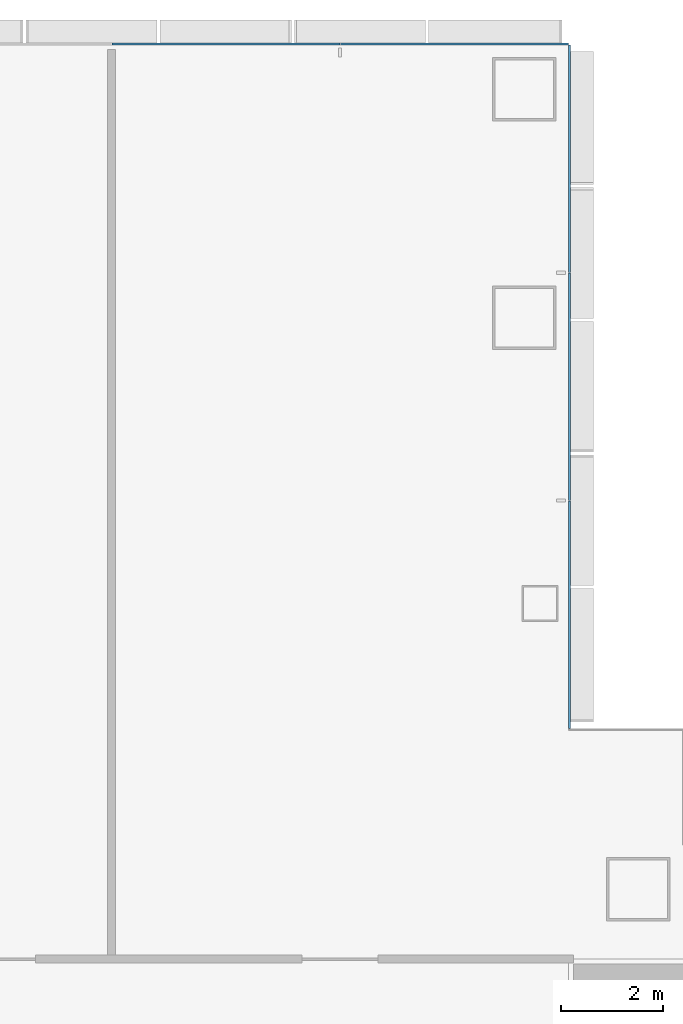
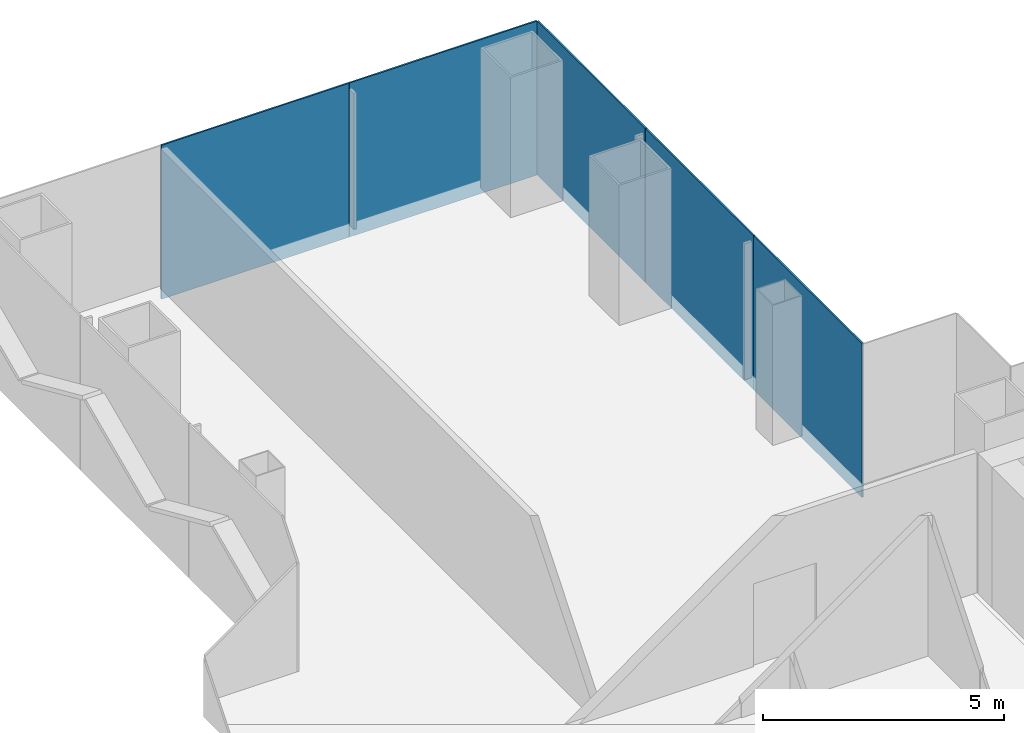
# One storey, part 11 of 20: 5 plates, 2 elements without a shape of their own.
"""IFC4 building model written with IfcOpenShell, lengths in metres."""

from ifc_helpers import new_model, si_unit, direction, frame, origin, origin_2d, place, context, subcontext, project, spatial, rectangle, extrude, material, layer, layer_set, type_object, element, aggregate, save


model = new_model("IFC4")

# Units and contexts
model_context = context("Model", 3, precision=1e-05, world=origin(), true_north=direction((0.0, 1.0)))
body_context = subcontext(model_context, "Body", "Model", "MODEL_VIEW")
ifc_project = project(units=[si_unit("LENGTHUNIT", "METRE"), si_unit("AREAUNIT", "SQUARE_METRE"), si_unit("VOLUMEUNIT", "CUBIC_METRE"), si_unit("PLANEANGLEUNIT", "RADIAN"), si_unit("MASSUNIT", "GRAM", prefix="KILO")], contexts=[model_context])

# Site, building, storey
site_placement = place(None, origin())
site = spatial("IfcSite", under=ifc_project, at=site_placement, CompositionType="ELEMENT")
building_placement = place(site_placement, origin())
building = spatial("IfcBuilding", under=site, at=building_placement, Name="Shamsa Quay Exchange Towers", CompositionType="ELEMENT")
storey_placement = place(building_placement, frame((0.0, 0.0, 101.39990234375)))
storey = spatial("IfcBuildingStorey", under=building, at=storey_placement, Name="L23", CompositionType="ELEMENT", Elevation=101.39990234375)

# Curtain wall, plates
ifc_material_1 = material(Name="Aluminium EN AW-6063 T6, black anodised", Category="aluminium")
ifc_layer_1 = layer(ifc_material_1, 0.280029296875)
ifc_layer_set_1 = layer_set([ifc_layer_1], Name="CW-1 UNITISED VISION GLASS")
curtain_wall_type = type_object("IfcCurtainWallType", Name="CW-1 UNITISED VISION GLASS", PredefinedType="NOTDEFINED", material=ifc_layer_set_1)
curtain_wall_1_placement = place(storey_placement, origin())
curtain_wall_1 = element("IfcCurtainWall", 1, at=curtain_wall_1_placement, inside=storey, type_object=curtain_wall_type, Name="CW1 T2-FLK-U+S L23", PredefinedType="NOTDEFINED")
ifc_material_2 = material(Name="Glass, laminated, dark tinted", Category="glass")
ifc_layer_2 = layer(ifc_material_2, 0.0400390625)
ifc_layer_set_2 = layer_set([ifc_layer_2], Name="CW-1 VISION GLASS 40")
plate_type = type_object("IfcPlateType", Name="CW-1 VISION GLASS 40", PredefinedType="CURTAIN_PANEL", material=ifc_layer_set_2)
plate_1_placement = place(storey_placement, frame((40.52001953125, 13.529052734375, -0.349853515625), z_axis=(0.0, 0.0, 1.0), x_axis=(0.0, 1.0, 0.0)))
plate_1 = element("IfcPlate", 2, at=plate_1_placement, type_object=plate_type, Name="CW1 glass panel", PredefinedType="CURTAIN_PANEL", context=body_context, shape_type="SweptSolid", body=[
    extrude(rectangle(XDim=4.482421875, YDim=0.0400390625, at=origin_2d()), origin(), (0.0, 0.0, 1.0), 3.89990234375),
])
plate_2_placement = place(storey_placement, frame((40.52001953125, 18.01904296875, -0.349853515625), z_axis=(0.0, 0.0, 1.0), x_axis=(0.0, 1.0, 0.0)))
plate_2 = element("IfcPlate", 3, at=plate_2_placement, type_object=plate_type, Name="CW1 glass panel", PredefinedType="CURTAIN_PANEL", context=body_context, shape_type="SweptSolid", body=[
    extrude(rectangle(XDim=4.477294921875, YDim=0.0400390625, at=origin_2d()), origin(), (0.0, 0.0, 1.0), 3.89990234375),
])
plate_3_placement = place(storey_placement, frame((40.52001953125, 22.5087890625, -0.349853515625), z_axis=(0.0, 0.0, 1.0), x_axis=(0.0, 1.0, 0.0)))
plate_3 = element("IfcPlate", 4, at=plate_3_placement, type_object=plate_type, Name="CW1 glass panel", PredefinedType="CURTAIN_PANEL", context=body_context, shape_type="SweptSolid", body=[
    extrude(rectangle(XDim=4.482421875, YDim=0.0400390625, at=origin_2d()), origin(), (0.0, 0.0, 1.0), 3.89990234375),
])
aggregate(curtain_wall_1, [plate_1, plate_2, plate_3])

curtain_wall_2_placement = place(storey_placement, origin())
curtain_wall_2 = element("IfcCurtainWall", 5, at=curtain_wall_2_placement, inside=storey, type_object=curtain_wall_type, Name="CW1 T2-END-U+ L23", PredefinedType="NOTDEFINED")
plate_4_placement = place(storey_placement, frame((38.25244140625, 24.77001953125, -0.349853515625), z_axis=(0.0, 0.0, 1.0), x_axis=(-1.0, 0.0, 0.0)))
plate_4 = element("IfcPlate", 6, at=plate_4_placement, type_object=plate_type, Name="CW1 glass panel", PredefinedType="CURTAIN_PANEL", context=body_context, shape_type="SweptSolid", body=[
    extrude(rectangle(XDim=4.4951171875, YDim=0.0400390625, at=origin_2d()), origin(), (0.0, 0.0, 1.0), 3.89990234375),
])
plate_5_placement = place(storey_placement, frame((33.75, 24.77001953125, -0.349853515625), z_axis=(0.0, 0.0, 1.0), x_axis=(-1.0, 0.0, 0.0)))
plate_5 = element("IfcPlate", 7, at=plate_5_placement, type_object=plate_type, Name="CW1 glass panel", PredefinedType="CURTAIN_PANEL", context=body_context, shape_type="SweptSolid", body=[
    extrude(rectangle(XDim=4.489990234375, YDim=0.0400390625, at=origin_2d()), origin(), (0.0, 0.0, 1.0), 3.89990234375),
])
aggregate(curtain_wall_2, [plate_4, plate_5])

save(model, "model.ifc")
